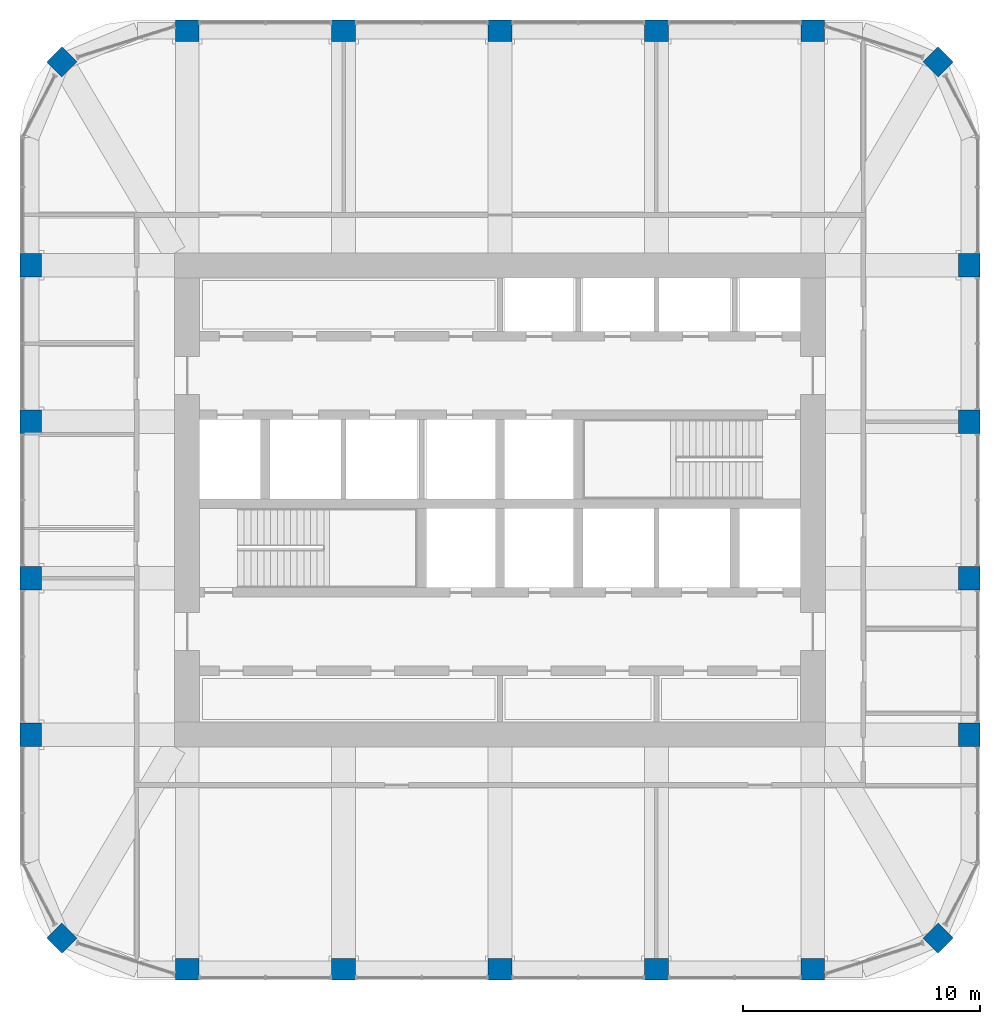
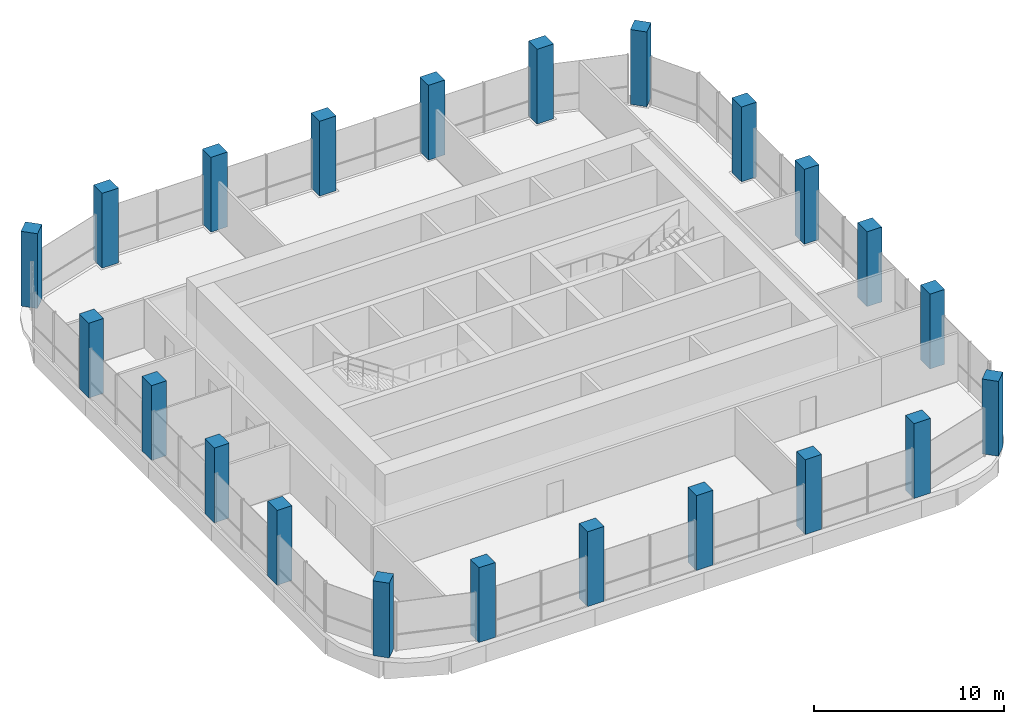
# One storey, part 1 of 13: 22 columns.
"""IFC4 building model written with IfcOpenShell, lengths in metres."""

from ifc_helpers import new_model, si_unit, direction, frame, origin, origin_2d, place, context, subcontext, project, spatial, rectangle, extrude, material, material_profile, profile_set, type_object, element, save


model = new_model("IFC4")

# Units and contexts
model_context = context("Model", 3, precision=1e-05, world=origin(), true_north=direction((0.0, 1.0)))
body_context = subcontext(model_context, "Body", "Model", "MODEL_VIEW")
ifc_project = project(units=[si_unit("LENGTHUNIT", "METRE"), si_unit("AREAUNIT", "SQUARE_METRE"), si_unit("VOLUMEUNIT", "CUBIC_METRE"), si_unit("PLANEANGLEUNIT", "RADIAN"), si_unit("MASSUNIT", "GRAM", prefix="KILO")], contexts=[model_context])

# Site, building, storey
site_placement = place(None, origin())
site = spatial("IfcSite", under=ifc_project, at=site_placement, CompositionType="ELEMENT")
building_placement = place(site_placement, origin())
building = spatial("IfcBuilding", under=site, at=building_placement, Name="Cobogo Forest Laboratory Tower", CompositionType="ELEMENT")
storey_placement = place(building_placement, frame((0.0, 0.0, 288.0)))
storey = spatial("IfcBuildingStorey", under=building, at=storey_placement, Name="L66", CompositionType="ELEMENT", Elevation=288.0)

# Columns
ifc_material = material(Name="Concrete HA-50 (C50/60)", Category="concrete")
ifc_material_profile_1 = material_profile(ifc_material, rectangle(XDim=1.0, YDim=0.89990234375, at=origin_2d()), Name="RC 900x1000")
ifc_profile_set_1 = profile_set([ifc_material_profile_1], Name="Concrete HA-50 (C50/60)")
column_type_1 = type_object("IfcColumnType", Name="Blade column 900x1000", PredefinedType="COLUMN", material=ifc_profile_set_1)
for number, where, z_axis, x_axis, name in (
    (1, (13.199951171875, 3.300048828125, 0.0), (0.0, 0.0, 1.0), (1.0, 0.0, 0.0), "Column 3-A.1 L66"),
    (2, (19.800048828125, 3.300048828125, 0.0), (0.0, 0.0, 1.0), (1.0, 0.0, 0.0), "Column 4-A.1 L66"),
    (3, (26.39990234375, 3.300048828125, 0.0), (0.0, 0.0, 1.0), (1.0, 0.0, 0.0), "Column 5-A.1 L66"),
    (4, (33.0, 3.300048828125, 0.0), (0.0, 0.0, 1.0), (1.0, 0.0, 0.0), "Column 6-A.1 L66"),
    (5, (39.60009765625, 3.300048828125, 0.0), (0.0, 0.0, 1.0), (1.0, 0.0, 0.0), "Column 7-A.1 L66"),
    (6, (6.60009765625, 13.199951171875, 0.0), (0.0, 0.0, 1.0), (0.0, 1.0, 0.0), "Column 2-C L66"),
    (7, (46.199951171875, 13.199951171875, 0.0), (0.0, 0.0, 1.0), (0.0, 1.0, 0.0), "Column 8-C L66"),
    (8, (6.60009765625, 19.800048828125, 0.0), (0.0, 0.0, 1.0), (0.0, 1.0, 0.0), "Column 2-D L66"),
    (9, (46.199951171875, 19.800048828125, 0.0), (0.0, 0.0, 1.0), (0.0, 1.0, 0.0), "Column 8-D L66"),
    (10, (6.60009765625, 26.39990234375, 0.0), (0.0, 0.0, 1.0), (0.0, 1.0, 0.0), "Column 2-E L66"),
    (11, (46.199951171875, 26.39990234375, 0.0), (0.0, 0.0, 1.0), (0.0, 1.0, 0.0), "Column 8-E L66"),
    (12, (6.60009765625, 33.0, 0.0), (0.0, 0.0, 1.0), (0.0, 1.0, 0.0), "Column 2-F L66"),
    (13, (46.199951171875, 33.0, 0.0), (0.0, 0.0, 1.0), (0.0, 1.0, 0.0), "Column 8-F L66"),
    (14, (13.199951171875, 42.89990234375, 0.0), (0.0, 0.0, 1.0), (1.0, 0.0, 0.0), "Column 3-G.1 L66"),
    (15, (19.800048828125, 42.89990234375, 0.0), (0.0, 0.0, 1.0), (1.0, 0.0, 0.0), "Column 4-G.1 L66"),
    (16, (26.39990234375, 42.89990234375, 0.0), (0.0, 0.0, 1.0), (1.0, 0.0, 0.0), "Column 5-G.1 L66"),
    (17, (33.0, 42.89990234375, 0.0), (0.0, 0.0, 1.0), (1.0, 0.0, 0.0), "Column 6-G.1 L66"),
    (18, (39.60009765625, 42.89990234375, 0.0), (0.0, 0.0, 1.0), (1.0, 0.0, 0.0), "Column 7-G.1 L66"),
):
    element("IfcColumn", number, at=place(storey_placement, frame(where, z_axis=z_axis, x_axis=x_axis)), inside=storey, type_object=column_type_1, Name=name, PredefinedType="COLUMN", context=body_context, shape_type="SweptSolid", body=[
        extrude(rectangle(XDim=1.0, YDim=0.89990234375, at=origin_2d()), origin(), (0.0, 0.0, 1.0), 4.800048828125),
    ])
ifc_material_profile_2 = material_profile(ifc_material, rectangle(XDim=0.89990234375, YDim=0.89990234375, at=origin_2d()), Name="RC 900x900")
ifc_profile_set_2 = profile_set([ifc_material_profile_2], Name="Concrete HA-50 (C50/60)")
column_type_2 = type_object("IfcColumnType", Name="Column 900x900", PredefinedType="COLUMN", material=ifc_profile_set_2)
for number, where, z_axis, x_axis, name in (
    (19, (7.91796875, 4.617919921875, 0.0), (0.0, 0.0, 1.0), (0.707106781187, 0.707106781187, 0.0), "Column CNR-SW L66"),
    (20, (44.882080078125, 4.617919921875, 0.0), (0.0, 0.0, 1.0), (0.707106781187, 0.707106781187, 0.0), "Column CNR-SE L66"),
    (21, (7.91796875, 41.58203125, 0.0), (0.0, 0.0, 1.0), (0.707106781187, 0.707106781187, 0.0), "Column CNR-NW L66"),
    (22, (44.882080078125, 41.58203125, 0.0), (0.0, 0.0, 1.0), (0.707106781187, 0.707106781187, 0.0), "Column CNR-NE L66"),
):
    element("IfcColumn", number, at=place(storey_placement, frame(where, z_axis=z_axis, x_axis=x_axis)), inside=storey, type_object=column_type_2, Name=name, PredefinedType="COLUMN", context=body_context, shape_type="SweptSolid", body=[
        extrude(rectangle(XDim=0.89990234375, YDim=0.89990234375, at=origin_2d()), origin(), (0.0, 0.0, 1.0), 4.800048828125),
    ])

save(model, "model.ifc")
